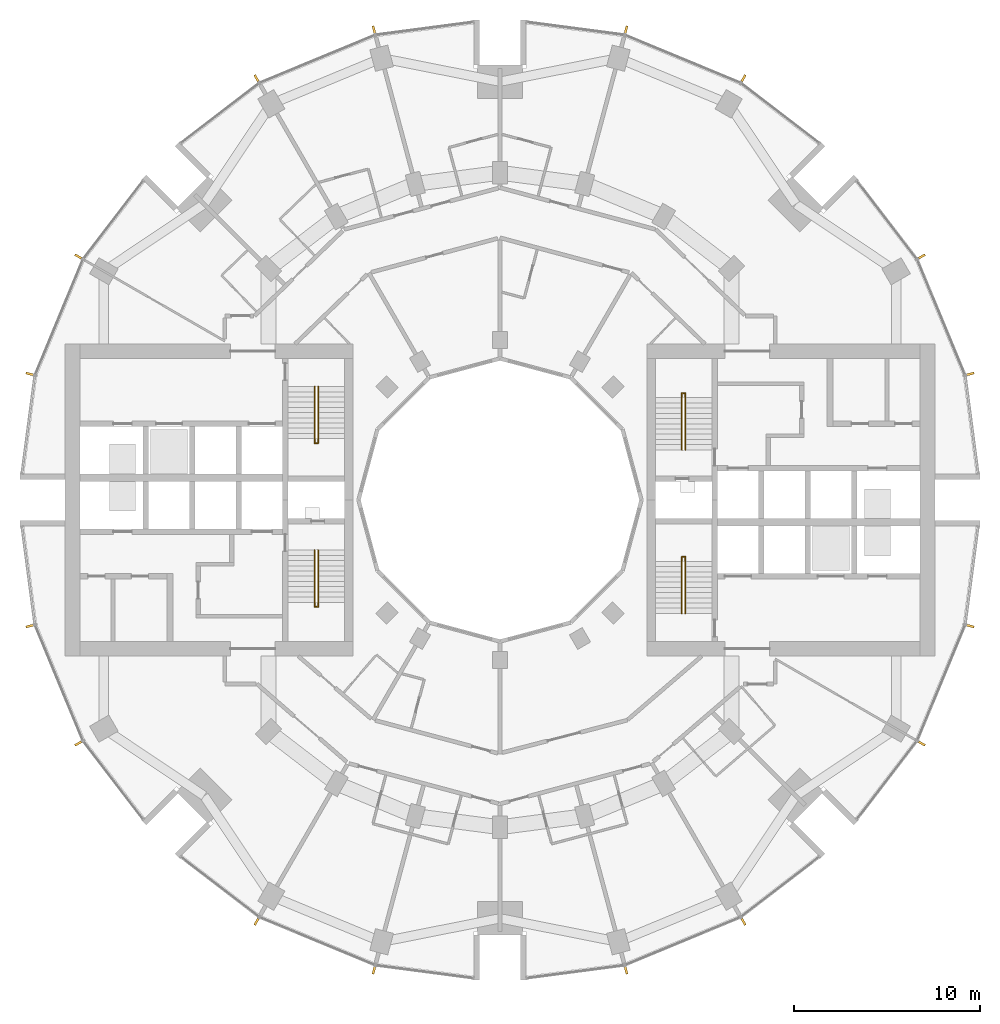
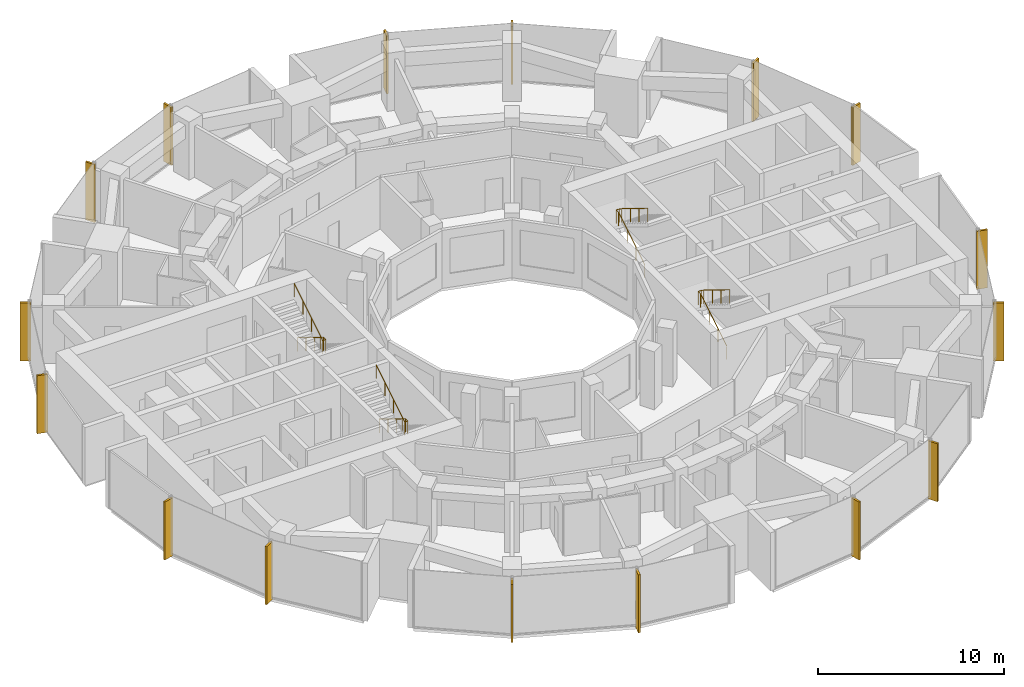
# One storey, part 14 of 15: 16 shading devices, 4 railings.
"""IFC4 building model written with IfcOpenShell, lengths in metres."""

from ifc_helpers import new_model, si_unit, direction, frame, origin, origin_2d, place, context, subcontext, project, spatial, rectangle, circle, extrude, material, material_profile, profile_set, type_object, element, save


model = new_model("IFC4")

# Units and contexts
model_context = context("Model", 3, precision=1e-05, world=origin(), true_north=direction((0.0, 1.0)))
body_context = subcontext(model_context, "Body", "Model", "MODEL_VIEW")
ifc_project = project(units=[si_unit("LENGTHUNIT", "METRE"), si_unit("AREAUNIT", "SQUARE_METRE"), si_unit("VOLUMEUNIT", "CUBIC_METRE"), si_unit("PLANEANGLEUNIT", "RADIAN"), si_unit("MASSUNIT", "GRAM", prefix="KILO")], contexts=[model_context])

# Site, building, storey
site_placement = place(None, origin())
site = spatial("IfcSite", under=ifc_project, at=site_placement, CompositionType="ELEMENT")
building_placement = place(site_placement, origin())
building = spatial("IfcBuilding", under=site, at=building_placement, Name="Torre Brocal", CompositionType="ELEMENT")
storey_placement = place(building_placement, frame((0.0, 0.0, 63.0)))
storey = spatial("IfcBuildingStorey", under=building, at=storey_placement, Name="L14", CompositionType="ELEMENT", Elevation=63.0)

# Shading devices
ifc_material_1 = material(Name="Aluminium, black anodised", Category="aluminium")
ifc_material_profile = material_profile(ifc_material_1, rectangle(XDim=0.1201171875, YDim=0.60009765625, at=origin_2d()), Name="FIN 120X600 3800 HIGH")
ifc_profile_set = profile_set([ifc_material_profile], Name="Aluminium, black anodised")
shading_device_type = type_object("IfcShadingDeviceType", Name="FIN 120X600 3800 HIGH", PredefinedType="USERDEFINED", material=ifc_profile_set)
for number, where, z_axis, x_axis, name in (
    (1, (105.208984375, 81.754638671875, -0.14990234375), (0.0, 0.0, 1.0), (-0.258819045103, 0.965925826289, 0.0), "FIN"),
    (2, (102.601806640625, 88.049072265625, -0.14990234375), (0.0, 0.0, 1.0), (-0.5, 0.866025403784, 0.0), "FIN"),
    (3, (93.049072265625, 97.601806640625, -0.14990234375), (0.0, 0.0, 1.0), (-0.866025403784, 0.5, 0.0), "FIN"),
    (4, (86.754638671875, 100.208984375, -0.14990234375), (0.0, 0.0, 1.0), (-0.965925826289, 0.258819045103, 0.0), "FIN"),
    (5, (73.245361328125, 100.208984375, -0.14990234375), (0.0, 0.0, 1.0), (-0.965925826289, -0.258819045103, 0.0), "FIN"),
    (6, (66.950927734375, 97.601806640625, -0.14990234375), (0.0, 0.0, 1.0), (-0.866025403784, -0.5, 0.0), "FIN"),
    (7, (57.398193359375, 88.049072265625, -0.14990234375), (0.0, 0.0, 1.0), (-0.5, -0.866025403784, 0.0), "FIN"),
    (8, (54.791015625, 81.754638671875, -0.14990234375), (0.0, 0.0, 1.0), (-0.258819045103, -0.965925826289, 0.0), "FIN"),
    (9, (54.791015625, 68.245361328125, -0.14990234375), (0.0, 0.0, 1.0), (0.258819045103, -0.965925826289, 0.0), "FIN"),
    (10, (57.398193359375, 61.950927734375, -0.14990234375), (0.0, 0.0, 1.0), (0.5, -0.866025403784, 0.0), "FIN"),
    (11, (66.950927734375, 52.398193359375, -0.14990234375), (0.0, 0.0, 1.0), (0.866025403784, -0.5, 0.0), "FIN"),
    (12, (73.245361328125, 49.791015625, -0.14990234375), (0.0, 0.0, 1.0), (0.965925826289, -0.258819045103, 0.0), "FIN"),
    (13, (86.754638671875, 49.791015625, -0.14990234375), (0.0, 0.0, 1.0), (0.965925826289, 0.258819045103, 0.0), "FIN"),
    (14, (93.049072265625, 52.398193359375, -0.14990234375), (0.0, 0.0, 1.0), (0.866025403784, 0.5, 0.0), "FIN"),
    (15, (102.601806640625, 61.950927734375, -0.14990234375), (0.0, 0.0, 1.0), (0.5, 0.866025403784, 0.0), "FIN"),
    (16, (105.208984375, 68.245361328125, -0.14990234375), (0.0, 0.0, 1.0), (0.258819045103, 0.965925826289, 0.0), "FIN"),
):
    element("IfcShadingDevice", number, at=place(storey_placement, frame(where, z_axis=z_axis, x_axis=x_axis)), inside=storey, type_object=shading_device_type, Name=name, ObjectType="FIN", PredefinedType="USERDEFINED", context=body_context, shape_type="SweptSolid", body=[
        extrude(rectangle(XDim=0.1201171875, YDim=0.60009765625, at=origin_2d()), origin(), (0.0, 0.0, 1.0), 3.7998046875),
    ])

# Railings
ifc_material_2 = material(Name="Stainless steel AISI 316", Category="steel")
railing_type = type_object("IfcRailingType", Name="STAIR HANDRAIL", PredefinedType="HANDRAIL", material=ifc_material_2)
railing_1_placement = place(storey_placement, frame((89.780029296875, 77.699951171875, 0.172607421875)))
element("IfcRailing", 17, at=railing_1_placement, inside=storey, type_object=railing_type, Name="HANDRAIL ST1", PredefinedType="HANDRAIL", context=body_context, shape_type="SweptSolid", body=[
    extrude(circle(Radius=0.02392578125, at=origin_2d()), frame((0.0, 0.0, 0.8759765625), z_axis=(0.0, 0.851089632645, 0.525020415988), x_axis=(-1.0, 0.0, 0.0)), (0.0, 0.0, 1.0), 3.2900390625),
    extrude(circle(Radius=0.02392578125, at=origin_2d()), frame((0.0, 2.800048828125, 2.60302734375), z_axis=(0.0, 1.0, 0.0), x_axis=(-1.0, 0.0, 0.0)), (0.0, 0.0, 1.0), 0.25),
    extrude(circle(Radius=0.02392578125, at=origin_2d()), frame((0.0, 3.050048828125, 2.60302734375), z_axis=(1.0, 0.0, 0.0), x_axis=(0.0, 1.0, 0.0)), (0.0, 0.0, 1.0), 0.18994140625),
    extrude(circle(Radius=0.02392578125, at=origin_2d()), frame((0.18994140625, 3.050048828125, 2.60302734375), z_axis=(0.0, -0.82253904752, 0.568708638324), x_axis=(1.0, 0.0, 0.0)), (0.0, 0.0, 1.0), 0.303955078125),
    extrude(circle(Radius=0.02392578125, at=origin_2d()), frame((0.18994140625, 2.800048828125, 2.77587890625), z_axis=(0.0, -0.851089632645, 0.525020415988), x_axis=(1.0, 0.0, 0.0)), (0.0, 0.0, 1.0), 3.2900390625),
    extrude(circle(Radius=0.02099609375, at=origin_2d()), origin(), (0.0, 0.0, 1.0), 0.851806640625),
    extrude(circle(Radius=0.02099609375, at=origin_2d()), frame((0.0, 0.933349609375, 0.57568359375)), (0.0, 0.0, 1.0), 0.851806640625),
    extrude(circle(Radius=0.02099609375, at=origin_2d()), frame((0.0, 1.86669921875, 1.151611328125)), (0.0, 0.0, 1.0), 0.851806640625),
    extrude(circle(Radius=0.02099609375, at=origin_2d()), frame((0.0, 2.800048828125, 1.727294921875)), (0.0, 0.0, 1.0), 0.851806640625),
    extrude(circle(Radius=0.02099609375, at=origin_2d()), frame((0.0, 3.050048828125, 1.727294921875)), (0.0, 0.0, 1.0), 0.851806640625),
    extrude(circle(Radius=0.02099609375, at=origin_2d()), frame((0.18994140625, 3.050048828125, 1.727294921875)), (0.0, 0.0, 1.0), 0.851806640625),
    extrude(circle(Radius=0.02099609375, at=origin_2d()), frame((0.18994140625, 2.800048828125, 1.900146484375)), (0.0, 0.0, 1.0), 0.851806640625),
    extrude(circle(Radius=0.02099609375, at=origin_2d()), frame((0.18994140625, 1.86669921875, 2.475830078125)), (0.0, 0.0, 1.0), 0.851806640625),
    extrude(circle(Radius=0.02099609375, at=origin_2d()), frame((0.18994140625, 0.933349609375, 3.0517578125)), (0.0, 0.0, 1.0), 0.851806640625),
    extrude(circle(Radius=0.02099609375, at=origin_2d()), frame((0.18994140625, 0.0, 3.62744140625)), (0.0, 0.0, 1.0), 0.851806640625),
])
railing_2_placement = place(storey_placement, frame((89.780029296875, 68.89990234375, 0.172607421875)))
element("IfcRailing", 18, at=railing_2_placement, inside=storey, type_object=railing_type, Name="HANDRAIL ST2", PredefinedType="HANDRAIL", context=body_context, shape_type="SweptSolid", body=[
    extrude(circle(Radius=0.02392578125, at=origin_2d()), frame((0.0, 0.0, 0.8759765625), z_axis=(0.0, 0.851089632645, 0.525020415988), x_axis=(-1.0, 0.0, 0.0)), (0.0, 0.0, 1.0), 3.2900390625),
    extrude(circle(Radius=0.02392578125, at=origin_2d()), frame((0.0, 2.800048828125, 2.60302734375), z_axis=(0.0, 1.0, 0.0), x_axis=(-1.0, 0.0, 0.0)), (0.0, 0.0, 1.0), 0.25),
    extrude(circle(Radius=0.02392578125, at=origin_2d()), frame((0.0, 3.050048828125, 2.60302734375), z_axis=(1.0, 0.0, 0.0), x_axis=(0.0, 1.0, 0.0)), (0.0, 0.0, 1.0), 0.18994140625),
    extrude(circle(Radius=0.02392578125, at=origin_2d()), frame((0.18994140625, 3.050048828125, 2.60302734375), z_axis=(0.0, -0.82253904752, 0.568708638324), x_axis=(1.0, 0.0, 0.0)), (0.0, 0.0, 1.0), 0.303955078125),
    extrude(circle(Radius=0.02392578125, at=origin_2d()), frame((0.18994140625, 2.800048828125, 2.77587890625), z_axis=(0.0, -0.851089632645, 0.525020415988), x_axis=(1.0, 0.0, 0.0)), (0.0, 0.0, 1.0), 3.2900390625),
    extrude(circle(Radius=0.02099609375, at=origin_2d()), origin(), (0.0, 0.0, 1.0), 0.851806640625),
    extrude(circle(Radius=0.02099609375, at=origin_2d()), frame((0.0, 0.933349609375, 0.57568359375)), (0.0, 0.0, 1.0), 0.851806640625),
    extrude(circle(Radius=0.02099609375, at=origin_2d()), frame((0.0, 1.86669921875, 1.151611328125)), (0.0, 0.0, 1.0), 0.851806640625),
    extrude(circle(Radius=0.02099609375, at=origin_2d()), frame((0.0, 2.800048828125, 1.727294921875)), (0.0, 0.0, 1.0), 0.851806640625),
    extrude(circle(Radius=0.02099609375, at=origin_2d()), frame((0.0, 3.050048828125, 1.727294921875)), (0.0, 0.0, 1.0), 0.851806640625),
    extrude(circle(Radius=0.02099609375, at=origin_2d()), frame((0.18994140625, 3.050048828125, 1.727294921875)), (0.0, 0.0, 1.0), 0.851806640625),
    extrude(circle(Radius=0.02099609375, at=origin_2d()), frame((0.18994140625, 2.800048828125, 1.900146484375)), (0.0, 0.0, 1.0), 0.851806640625),
    extrude(circle(Radius=0.02099609375, at=origin_2d()), frame((0.18994140625, 1.86669921875, 2.475830078125)), (0.0, 0.0, 1.0), 0.851806640625),
    extrude(circle(Radius=0.02099609375, at=origin_2d()), frame((0.18994140625, 0.933349609375, 3.0517578125)), (0.0, 0.0, 1.0), 0.851806640625),
    extrude(circle(Radius=0.02099609375, at=origin_2d()), frame((0.18994140625, 0.0, 3.62744140625)), (0.0, 0.0, 1.0), 0.851806640625),
])
railing_3_placement = place(storey_placement, frame((70.219970703125, 72.300048828125, 0.172607421875)))
element("IfcRailing", 19, at=railing_3_placement, inside=storey, type_object=railing_type, Name="HANDRAIL ST3", PredefinedType="HANDRAIL", context=body_context, shape_type="SweptSolid", body=[
    extrude(circle(Radius=0.02392578125, at=origin_2d()), frame((0.0, 0.0, 0.8759765625), z_axis=(0.0, -0.851089632645, 0.525020415988), x_axis=(1.0, 0.0, 0.0)), (0.0, 0.0, 1.0), 3.2900390625),
    extrude(circle(Radius=0.02392578125, at=origin_2d()), frame((0.0, -2.800048828125, 2.60302734375), z_axis=(0.0, -1.0, 0.0), x_axis=(1.0, 0.0, 0.0)), (0.0, 0.0, 1.0), 0.25),
    extrude(circle(Radius=0.02392578125, at=origin_2d()), frame((0.0, -3.050048828125, 2.60302734375), z_axis=(-1.0, 0.0, 0.0), x_axis=(0.0, -1.0, 0.0)), (0.0, 0.0, 1.0), 0.18994140625),
    extrude(circle(Radius=0.02392578125, at=origin_2d()), frame((-0.18994140625, -3.050048828125, 2.60302734375), z_axis=(0.0, 0.82253904752, 0.568708638324), x_axis=(-1.0, 0.0, 0.0)), (0.0, 0.0, 1.0), 0.303955078125),
    extrude(circle(Radius=0.02392578125, at=origin_2d()), frame((-0.18994140625, -2.800048828125, 2.77587890625), z_axis=(0.0, 0.851089632645, 0.525020415988), x_axis=(-1.0, 0.0, 0.0)), (0.0, 0.0, 1.0), 3.2900390625),
    extrude(circle(Radius=0.02099609375, at=origin_2d()), origin(), (0.0, 0.0, 1.0), 0.851806640625),
    extrude(circle(Radius=0.02099609375, at=origin_2d()), frame((0.0, -0.933349609375, 0.57568359375)), (0.0, 0.0, 1.0), 0.851806640625),
    extrude(circle(Radius=0.02099609375, at=origin_2d()), frame((0.0, -1.86669921875, 1.151611328125)), (0.0, 0.0, 1.0), 0.851806640625),
    extrude(circle(Radius=0.02099609375, at=origin_2d()), frame((0.0, -2.800048828125, 1.727294921875)), (0.0, 0.0, 1.0), 0.851806640625),
    extrude(circle(Radius=0.02099609375, at=origin_2d()), frame((0.0, -3.050048828125, 1.727294921875)), (0.0, 0.0, 1.0), 0.851806640625),
    extrude(circle(Radius=0.02099609375, at=origin_2d()), frame((-0.18994140625, -3.050048828125, 1.727294921875)), (0.0, 0.0, 1.0), 0.851806640625),
    extrude(circle(Radius=0.02099609375, at=origin_2d()), frame((-0.18994140625, -2.800048828125, 1.900146484375)), (0.0, 0.0, 1.0), 0.851806640625),
    extrude(circle(Radius=0.02099609375, at=origin_2d()), frame((-0.18994140625, -1.86669921875, 2.475830078125)), (0.0, 0.0, 1.0), 0.851806640625),
    extrude(circle(Radius=0.02099609375, at=origin_2d()), frame((-0.18994140625, -0.933349609375, 3.0517578125)), (0.0, 0.0, 1.0), 0.851806640625),
    extrude(circle(Radius=0.02099609375, at=origin_2d()), frame((-0.18994140625, 0.0, 3.62744140625)), (0.0, 0.0, 1.0), 0.851806640625),
])
railing_4_placement = place(storey_placement, frame((70.219970703125, 81.10009765625, 0.172607421875)))
element("IfcRailing", 20, at=railing_4_placement, inside=storey, type_object=railing_type, Name="HANDRAIL ST4", PredefinedType="HANDRAIL", context=body_context, shape_type="SweptSolid", body=[
    extrude(circle(Radius=0.02392578125, at=origin_2d()), frame((0.0, 0.0, 0.8759765625), z_axis=(0.0, -0.851089632645, 0.525020415988), x_axis=(1.0, 0.0, 0.0)), (0.0, 0.0, 1.0), 3.2900390625),
    extrude(circle(Radius=0.02392578125, at=origin_2d()), frame((0.0, -2.800048828125, 2.60302734375), z_axis=(0.0, -1.0, 0.0), x_axis=(1.0, 0.0, 0.0)), (0.0, 0.0, 1.0), 0.25),
    extrude(circle(Radius=0.02392578125, at=origin_2d()), frame((0.0, -3.050048828125, 2.60302734375), z_axis=(-1.0, 0.0, 0.0), x_axis=(0.0, -1.0, 0.0)), (0.0, 0.0, 1.0), 0.18994140625),
    extrude(circle(Radius=0.02392578125, at=origin_2d()), frame((-0.18994140625, -3.050048828125, 2.60302734375), z_axis=(0.0, 0.82253904752, 0.568708638324), x_axis=(-1.0, 0.0, 0.0)), (0.0, 0.0, 1.0), 0.303955078125),
    extrude(circle(Radius=0.02392578125, at=origin_2d()), frame((-0.18994140625, -2.800048828125, 2.77587890625), z_axis=(0.0, 0.851089632645, 0.525020415988), x_axis=(-1.0, 0.0, 0.0)), (0.0, 0.0, 1.0), 3.2900390625),
    extrude(circle(Radius=0.02099609375, at=origin_2d()), origin(), (0.0, 0.0, 1.0), 0.851806640625),
    extrude(circle(Radius=0.02099609375, at=origin_2d()), frame((0.0, -0.933349609375, 0.57568359375)), (0.0, 0.0, 1.0), 0.851806640625),
    extrude(circle(Radius=0.02099609375, at=origin_2d()), frame((0.0, -1.86669921875, 1.151611328125)), (0.0, 0.0, 1.0), 0.851806640625),
    extrude(circle(Radius=0.02099609375, at=origin_2d()), frame((0.0, -2.800048828125, 1.727294921875)), (0.0, 0.0, 1.0), 0.851806640625),
    extrude(circle(Radius=0.02099609375, at=origin_2d()), frame((0.0, -3.050048828125, 1.727294921875)), (0.0, 0.0, 1.0), 0.851806640625),
    extrude(circle(Radius=0.02099609375, at=origin_2d()), frame((-0.18994140625, -3.050048828125, 1.727294921875)), (0.0, 0.0, 1.0), 0.851806640625),
    extrude(circle(Radius=0.02099609375, at=origin_2d()), frame((-0.18994140625, -2.800048828125, 1.900146484375)), (0.0, 0.0, 1.0), 0.851806640625),
    extrude(circle(Radius=0.02099609375, at=origin_2d()), frame((-0.18994140625, -1.86669921875, 2.475830078125)), (0.0, 0.0, 1.0), 0.851806640625),
    extrude(circle(Radius=0.02099609375, at=origin_2d()), frame((-0.18994140625, -0.933349609375, 3.0517578125)), (0.0, 0.0, 1.0), 0.851806640625),
    extrude(circle(Radius=0.02099609375, at=origin_2d()), frame((-0.18994140625, 0.0, 3.62744140625)), (0.0, 0.0, 1.0), 0.851806640625),
])

save(model, "model.ifc")
